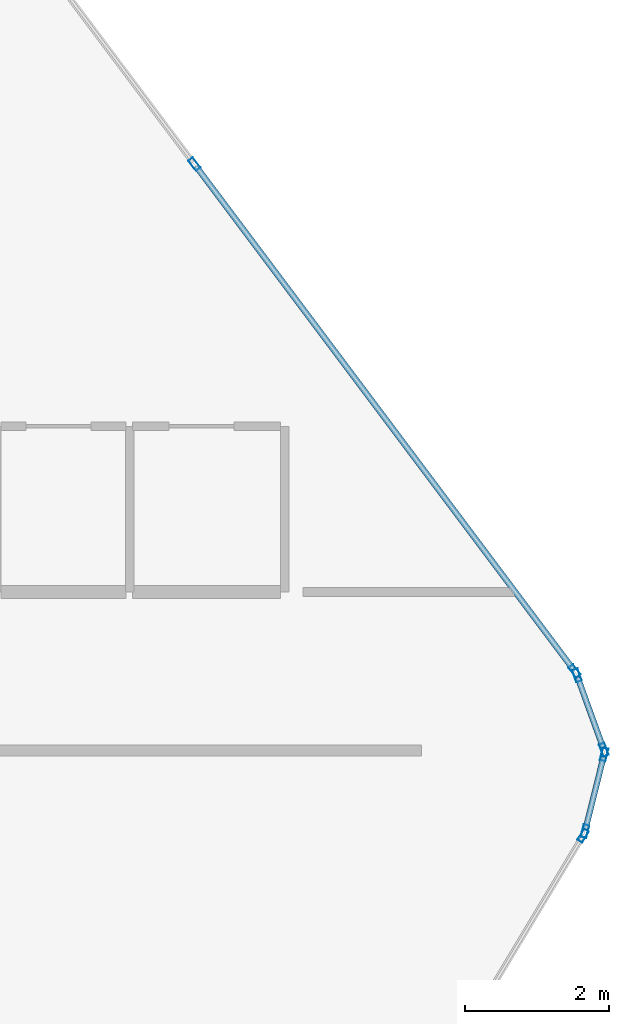
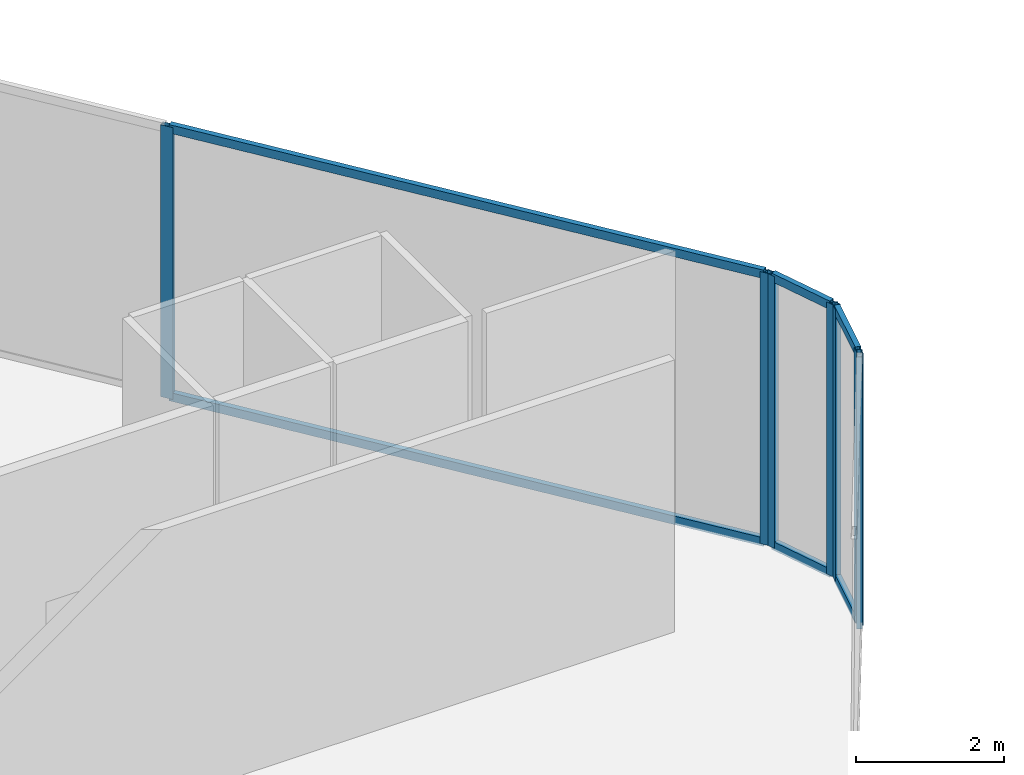
# One storey, part 18 of 29: 13 members, 4 elements without a shape of their own.
"""IFC4 building model written with IfcOpenShell, lengths in metres."""

import ifcopenshell
import ifcopenshell.guid

model = None  # the IFC model being written
_history = None  # IfcOwnerHistory: only IFC2X3 demands one
_inside = {}  # id of a spatial element -> (the spatial element, [elements in it])
_under = {}  # id of a project, library or spatial element -> (it, [spatial elements below it])
_declared = {}  # id of a project -> (the project, [libraries it declares])
_typed = {}  # id of a type object -> (the type object, [elements of that type])
_made_of = {}  # id of a material, layer set ... -> (it, [elements and type objects made of it])


def new_model(schema):
    """Start an empty IFC model of exactly this schema.

    Asked for "IFC4X3", IfcOpenShell would pick the latest addendum, in which some entities
    have other attributes; the version numbers below select the first issue.
    IFC2X3 requires an IfcOwnerHistory on every rooted entity: one is made here for all.
    """
    global model, _history
    if schema == "IFC4X3":
        model = ifcopenshell.file(schema_version=(4, 3, 0, 0))
    else:
        model = ifcopenshell.file(schema=schema)
    _inside.clear()
    _under.clear()
    _declared.clear()
    _typed.clear()
    _made_of.clear()
    _history = None
    if model.schema == "IFC2X3":
        org = make("IfcOrganization", Name="unknown")
        user = make(
            "IfcPersonAndOrganization",
            ThePerson=make("IfcPerson", FamilyName="unknown"),
            TheOrganization=org,
        )
        app = make(
            "IfcApplication",
            ApplicationDeveloper=org,
            Version="unknown",
            ApplicationFullName="unknown",
            ApplicationIdentifier="unknown",
        )
        _history = make(
            "IfcOwnerHistory",
            OwningUser=user,
            OwningApplication=app,
            ChangeAction="ADDED",
            CreationDate=0,
        )
    return model


def make(cls, **values):
    """One entity of the class cls with the attributes given. An attribute that is None is left unset."""
    return model.create_entity(
        cls, **{name: value for name, value in values.items() if value is not None}
    )


def rooted(cls, **values):
    """An entity with a GlobalId (a new one), such as an element, a storey or a relation."""
    return make(cls, GlobalId=ifcopenshell.guid.new(), OwnerHistory=_history, **values)


def si_unit(unit_type, name, prefix=None):
    """IfcSIUnit, for example si_unit("LENGTHUNIT", "METRE", prefix="MILLI")."""
    return make("IfcSIUnit", UnitType=unit_type, Prefix=prefix, Name=name)


def assignment(units):
    """IfcUnitAssignment: the units of a project."""
    return None if units is None else make("IfcUnitAssignment", Units=units)


def point(xyz):
    """IfcCartesianPoint."""
    return None if xyz is None else make("IfcCartesianPoint", Coordinates=xyz)


def direction(xyz):
    """IfcDirection."""
    return None if xyz is None else make("IfcDirection", DirectionRatios=xyz)


def frame(location, z_axis=None, x_axis=None):
    """IfcAxis2Placement3D, a coordinate frame: its origin and axes. An axis left out is left unset."""
    return make(
        "IfcAxis2Placement3D",
        Location=point(location),
        Axis=direction(z_axis),
        RefDirection=direction(x_axis),
    )


def frame_2d(location, x_axis=None):
    """IfcAxis2Placement2D, a coordinate frame in the plane: its origin and x axis."""
    return make(
        "IfcAxis2Placement2D", Location=point(location), RefDirection=direction(x_axis)
    )


def origin():
    """The frame at (0, 0, 0) with its axes left unset."""
    return frame((0.0, 0.0, 0.0))


def origin_2d():
    """The frame at (0, 0) in the plane with its x axis left unset."""
    return frame_2d((0.0, 0.0))


def place(relative_to, where):
    """IfcLocalPlacement: puts the frame where relative to a parent placement (None: the world)."""
    return make(
        "IfcLocalPlacement", PlacementRelTo=relative_to, RelativePlacement=where
    )


def context(
    kind, dimensions, precision=None, world=None, true_north=None, identifier=None
):
    """IfcGeometricRepresentationContext, for example the 3D "Model" context."""
    return make(
        "IfcGeometricRepresentationContext",
        ContextIdentifier=identifier,
        ContextType=kind,
        CoordinateSpaceDimension=dimensions,
        Precision=precision,
        WorldCoordinateSystem=world,
        TrueNorth=true_north,
    )


def subcontext(parent, identifier, kind, view, scale=None):
    """IfcGeometricRepresentationSubContext, for example "Body" below "Model"."""
    return make(
        "IfcGeometricRepresentationSubContext",
        ContextIdentifier=identifier,
        ContextType=kind,
        ParentContext=parent,
        TargetScale=scale,
        TargetView=view,
    )


def project(units=None, contexts=None):
    """IfcProject with its units and contexts."""
    return rooted(
        "IfcProject",
        Name="project",
        RepresentationContexts=contexts,
        UnitsInContext=assignment(units),
    )


def spatial(cls, under=None, at=None, **own):
    """A site, building, storey or space (cls), placed at a placement, below another one or the project."""
    s = rooted(cls, ObjectPlacement=at, **own)
    if under is not None:
        _under.setdefault(under.id(), (under, []))[1].append(s)
    return s


def profile(cls, at=None, kind="AREA", **sizes):
    """A parametric profile (cls). Its sizes go by their IFC names, for example OverallWidth=200.0."""
    return make(cls, ProfileType=kind, Position=at, **sizes)


def hollow_rectangle(**sizes):
    """IfcRectangleHollowProfileDef."""
    return profile("IfcRectangleHollowProfileDef", **sizes)


def extrude(swept, where, along, depth):
    """IfcExtrudedAreaSolid: the profile swept, set in the frame where, extruded along a direction by depth."""
    return make(
        "IfcExtrudedAreaSolid",
        SweptArea=swept,
        Position=where,
        ExtrudedDirection=direction(along),
        Depth=depth,
    )


def shape(context_of_items, identifier, shape_type, items):
    """IfcShapeRepresentation: the items that make up one representation, for example the "Body"."""
    return make(
        "IfcShapeRepresentation",
        ContextOfItems=context_of_items,
        RepresentationIdentifier=identifier,
        RepresentationType=shape_type,
        Items=items,
    )


def material(Name=None, Category=None):
    """IfcMaterial."""
    return make("IfcMaterial", Name=Name, Category=Category)


def layer(
    of_material, thickness, ventilated=None, Name=None, Category=None, Priority=None
):
    """IfcMaterialLayer: one layer of a wall or slab, of a material (None: an air gap)."""
    return make(
        "IfcMaterialLayer",
        Material=of_material,
        LayerThickness=thickness,
        IsVentilated=ventilated,
        Name=Name,
        Category=Category,
        Priority=Priority,
    )


def layer_set(layers, Name=None):
    """IfcMaterialLayerSet."""
    return make("IfcMaterialLayerSet", MaterialLayers=layers, LayerSetName=Name)


def material_profile(
    of_material, cross_section, Name=None, Category=None, Priority=None
):
    """IfcMaterialProfile: a cross section and its material."""
    return make(
        "IfcMaterialProfile",
        Name=Name,
        Material=of_material,
        Profile=cross_section,
        Priority=Priority,
        Category=Category,
    )


def profile_set(profiles, Name=None, composite=None):
    """IfcMaterialProfileSet."""
    return make(
        "IfcMaterialProfileSet",
        Name=Name,
        MaterialProfiles=profiles,
        CompositeProfile=composite,
    )


def made_of(thing, what):
    """Note that an element or type object is made of a material, layer set ...; save() writes the relation."""
    if what is not None:
        _made_of.setdefault(what.id(), (what, []))[1].append(thing)
    return thing


def type_object(cls, material=None, **own):
    """A type object (cls), such as IfcWallType, which elements share."""
    return made_of(rooted(cls, **own), material)


def element(
    cls,
    number,
    at=None,
    inside=None,
    cuts=None,
    type_object=None,
    material=None,
    context=None,
    identifier="Body",
    shape_type=None,
    held_by="IfcProductDefinitionShape",
    body=None,
    shapes=None,
    **own,
):
    """One element of the class cls, such as IfcWall. Its Tag is "e" and its number.

    at: its placement. inside: the storey or other place that contains it. cuts: it is an
    opening in that element (IfcRelVoidsElement). A single representation is given by context,
    identifier, shape_type and body (its items); several are given by shapes. held_by: the class
    of the entity that holds the representations. save() writes the other relations.
    """
    e = rooted(cls, Tag="e%d" % number, ObjectPlacement=at, **own)
    if body is not None:
        shapes = [shape(context, identifier, shape_type, body)]
    if shapes is not None:
        e.Representation = make(held_by, Representations=shapes)
    if inside is not None:
        _inside.setdefault(inside.id(), (inside, []))[1].append(e)
    if cuts is not None:
        rooted(
            "IfcRelVoidsElement", RelatingBuildingElement=cuts, RelatedOpeningElement=e
        )
    if type_object is not None:
        _typed.setdefault(type_object.id(), (type_object, []))[1].append(e)
    return made_of(e, material)


def aggregate(whole, parts):
    """IfcRelAggregates: a whole, such as a stair, and the parts it consists of."""
    return rooted("IfcRelAggregates", RelatingObject=whole, RelatedObjects=parts)


def save(model, path):
    """Write the relations noted so far, then the file.

    IfcRelAggregates (storeys below a building ...), IfcRelContainedInSpatialStructure (elements
    in a storey), IfcRelDefinesByType, IfcRelAssociatesMaterial and IfcRelDeclares: one each for
    every whole, place, type object, material and project.
    """
    for whole, parts in _under.values():
        aggregate(whole, parts)
    for where, things in _inside.values():
        rooted(
            "IfcRelContainedInSpatialStructure",
            RelatedElements=things,
            RelatingStructure=where,
        )
    for kind, things in _typed.values():
        rooted("IfcRelDefinesByType", RelatedObjects=things, RelatingType=kind)
    for what, things in _made_of.values():
        rooted("IfcRelAssociatesMaterial", RelatedObjects=things, RelatingMaterial=what)
    for by, libraries in _declared.values():
        rooted("IfcRelDeclares", RelatingContext=by, RelatedDefinitions=libraries)
    model.write(path)


model = new_model("IFC4")

# Units and contexts
model_context = context("Model", 3, precision=1e-05, world=origin(), true_north=direction((0.0, 1.0)))
body_context = subcontext(model_context, "Body", "Model", "MODEL_VIEW")
ifc_project = project(units=[si_unit("LENGTHUNIT", "METRE"), si_unit("AREAUNIT", "SQUARE_METRE"), si_unit("VOLUMEUNIT", "CUBIC_METRE"), si_unit("PLANEANGLEUNIT", "RADIAN"), si_unit("MASSUNIT", "GRAM", prefix="KILO")], contexts=[model_context])

# Site, building, storey
site_placement = place(None, origin())
site = spatial("IfcSite", under=ifc_project, at=site_placement, CompositionType="ELEMENT")
building_placement = place(site_placement, origin())
building = spatial("IfcBuilding", under=site, at=building_placement, Name="Keshet Zoharim Tower", CompositionType="ELEMENT")
storey_placement = place(building_placement, frame((0.0, 0.0, 120.5)))
storey = spatial("IfcBuildingStorey", under=building, at=storey_placement, Name="L29", CompositionType="ELEMENT", Elevation=120.5)

# Curtain wall, members
ifc_material = material(Name="Aluminium 6063-T6", Category="aluminium")
ifc_layer = layer(ifc_material, 0.14990234375)
ifc_layer_set = layer_set([ifc_layer], Name="Aluminium 6063-T6")
curtain_wall_type = type_object("IfcCurtainWallType", Name="CW-SYS-04", PredefinedType="NOTDEFINED", material=ifc_layer_set)
curtain_wall_1_placement = place(storey_placement, origin())
curtain_wall_1 = element("IfcCurtainWall", 1, at=curtain_wall_1_placement, inside=storey, type_object=curtain_wall_type, Name="L29 Unitised Curtain Wall 15", PredefinedType="NOTDEFINED")
ifc_material_profile_1 = material_profile(ifc_material, hollow_rectangle(XDim=0.080078125, YDim=0.179931640625, WallThickness=0.00439453125, at=origin_2d()), Name="MUL-80x180")
ifc_profile_set_1 = profile_set([ifc_material_profile_1], Name="Aluminium 6063-T6")
member_type_1 = type_object("IfcMemberType", Name="CWM-M18", PredefinedType="MULLION", material=ifc_profile_set_1)
member_1_placement = place(storey_placement, frame((56.896484375, 46.0380859375, 0.0), z_axis=(0.0, 0.0, 1.0), x_axis=(0.799999999998, 0.600000000002, 0.0)))
member_1 = element("IfcMember", 2, at=member_1_placement, type_object=member_type_1, Name="CW-04 mullion 2", PredefinedType="MULLION", context=body_context, shape_type="SweptSolid", body=[
    extrude(hollow_rectangle(XDim=0.080078125, YDim=0.179931640625, WallThickness=0.00439453125, at=origin_2d()), origin(), (0.0, 0.0, 1.0), 4.47998046875),
])
member_2_placement = place(storey_placement, frame((62.172119140625, 39.00390625, 0.0), z_axis=(0.0, 0.0, 1.0), x_axis=(0.799999999998, 0.600000000002, 0.0)))
member_2 = element("IfcMember", 3, at=member_2_placement, type_object=member_type_1, Name="CW-04 mullion 3", PredefinedType="MULLION", context=body_context, shape_type="SweptSolid", body=[
    extrude(hollow_rectangle(XDim=0.080078125, YDim=0.179931640625, WallThickness=0.00439453125, at=origin_2d()), origin(), (0.0, 0.0, 1.0), 4.47998046875),
])

curtain_wall_2_placement = place(storey_placement, origin())
curtain_wall_2 = element("IfcCurtainWall", 4, at=curtain_wall_2_placement, inside=storey, type_object=curtain_wall_type, Name="L29 Unitised Curtain Wall 16", PredefinedType="NOTDEFINED")
member_3_placement = place(storey_placement, frame((62.204833984375, 38.943115234375, 0.0), z_axis=(0.0, 0.0, 1.0), x_axis=(0.940317877544, 0.340297354046, 0.0)))
member_3 = element("IfcMember", 5, at=member_3_placement, type_object=member_type_1, Name="CW-04 mullion 1", PredefinedType="MULLION", context=body_context, shape_type="SweptSolid", body=[
    extrude(hollow_rectangle(XDim=0.080078125, YDim=0.179931640625, WallThickness=0.00439453125, at=origin_2d()), origin(), (0.0, 0.0, 1.0), 4.47998046875),
])
member_4_placement = place(storey_placement, frame((62.578125, 37.911865234375, 0.0), z_axis=(0.0, 0.0, 1.0), x_axis=(0.940317877544, 0.340297354046, 0.0)))
member_4 = element("IfcMember", 6, at=member_4_placement, type_object=member_type_1, Name="CW-04 mullion 2", PredefinedType="MULLION", context=body_context, shape_type="SweptSolid", body=[
    extrude(hollow_rectangle(XDim=0.080078125, YDim=0.179931640625, WallThickness=0.00439453125, at=origin_2d()), origin(), (0.0, 0.0, 1.0), 4.47998046875),
])

curtain_wall_3_placement = place(storey_placement, origin())
curtain_wall_3 = element("IfcCurtainWall", 7, at=curtain_wall_3_placement, inside=storey, type_object=curtain_wall_type, Name="L29 Unitised Curtain Wall 17", PredefinedType="NOTDEFINED")
member_5_placement = place(storey_placement, frame((62.58154296875, 37.844970703125, 0.0), z_axis=(0.0, 0.0, 1.0), x_axis=(0.970343857447, -0.241728770141, 0.0)))
member_5 = element("IfcMember", 8, at=member_5_placement, type_object=member_type_1, Name="CW-04 mullion 1", PredefinedType="MULLION", context=body_context, shape_type="SweptSolid", body=[
    extrude(hollow_rectangle(XDim=0.080078125, YDim=0.179931640625, WallThickness=0.00439453125, at=origin_2d()), origin(), (0.0, 0.0, 1.0), 4.47998046875),
])
member_6_placement = place(storey_placement, frame((62.31640625, 36.781005859375, 0.0), z_axis=(0.0, 0.0, 1.0), x_axis=(0.970343857447, -0.241728770141, 0.0)))
member_6 = element("IfcMember", 9, at=member_6_placement, type_object=member_type_1, Name="CW-04 mullion 2", PredefinedType="MULLION", context=body_context, shape_type="SweptSolid", body=[
    extrude(hollow_rectangle(XDim=0.080078125, YDim=0.179931640625, WallThickness=0.00439453125, at=origin_2d()), origin(), (0.0, 0.0, 1.0), 4.47998046875),
])

# Curtain wall, member
curtain_wall_4_placement = place(storey_placement, origin())
curtain_wall_4 = element("IfcCurtainWall", 10, at=curtain_wall_4_placement, inside=storey, type_object=curtain_wall_type, Name="L29 Unitised Curtain Wall 18", PredefinedType="NOTDEFINED")
member_7_placement = place(storey_placement, frame((62.2900390625, 36.717041015625, 0.0), z_axis=(0.0, 0.0, 1.0), x_axis=(0.857501477862, -0.514481501576, 0.0)))
member_7 = element("IfcMember", 11, at=member_7_placement, type_object=member_type_1, Name="CW-04 mullion 1", PredefinedType="MULLION", context=body_context, shape_type="SweptSolid", body=[
    extrude(hollow_rectangle(XDim=0.080078125, YDim=0.179931640625, WallThickness=0.00439453125, at=origin_2d()), origin(), (0.0, 0.0, 1.0), 4.47998046875),
])
aggregate(curtain_wall_4, [member_7])

# Member
ifc_material_profile_2 = material_profile(ifc_material, hollow_rectangle(XDim=0.080078125, YDim=0.139892578125, WallThickness=0.00390625, at=origin_2d()), Name="TRN-80x140")
ifc_profile_set_2 = profile_set([ifc_material_profile_2], Name="Aluminium 6063-T6")
member_type_2 = type_object("IfcMemberType", Name="CWT-T14", PredefinedType="USERDEFINED", material=ifc_profile_set_2)
member_8_placement = place(storey_placement, frame((56.91748046875, 46.010009765625, 0.034912109375), z_axis=(0.599991043201, -0.800006717521, 0.0), x_axis=(0.800006717521, 0.599991043201, 0.0)))
member_8 = element("IfcMember", 12, at=member_8_placement, type_object=member_type_2, Name="CW-04 transom 2.1", ObjectType="TRANSOM", PredefinedType="USERDEFINED", context=body_context, shape_type="SweptSolid", body=[
    extrude(hollow_rectangle(XDim=0.080078125, YDim=0.139892578125, WallThickness=0.00390625, at=origin_2d()), origin(), (0.0, 0.0, 1.0), 8.722412109375),
])

member_9_placement = place(storey_placement, frame((56.91748046875, 46.010009765625, 4.445068359375), z_axis=(0.599991043201, -0.800006717521, 0.0), x_axis=(0.800006717521, 0.599991043201, 0.0)))
member_9 = element("IfcMember", 13, at=member_9_placement, type_object=member_type_2, Name="CW-04 transom 2.2", ObjectType="TRANSOM", PredefinedType="USERDEFINED", context=body_context, shape_type="SweptSolid", body=[
    extrude(hollow_rectangle(XDim=0.080078125, YDim=0.139892578125, WallThickness=0.00390625, at=origin_2d()), origin(), (0.0, 0.0, 1.0), 8.722412109375),
])

aggregate(curtain_wall_1, [member_1, member_2, member_8, member_9])

member_10_placement = place(storey_placement, frame((62.216796875, 38.91015625, 0.034912109375), z_axis=(0.340310579984, -0.940313091024, 0.0), x_axis=(0.940313091024, 0.340310579984, 0.0)))
member_10 = element("IfcMember", 14, at=member_10_placement, type_object=member_type_2, Name="CW-04 transom 1.1", ObjectType="TRANSOM", PredefinedType="USERDEFINED", context=body_context, shape_type="SweptSolid", body=[
    extrude(hollow_rectangle(XDim=0.080078125, YDim=0.139892578125, WallThickness=0.00390625, at=origin_2d()), origin(), (0.0, 0.0, 1.0), 1.026611328125),
])

member_11_placement = place(storey_placement, frame((62.216796875, 38.91015625, 4.445068359375), z_axis=(0.340310579984, -0.940313091024, 0.0), x_axis=(0.940313091024, 0.340310579984, 0.0)))
member_11 = element("IfcMember", 15, at=member_11_placement, type_object=member_type_2, Name="CW-04 transom 1.2", ObjectType="TRANSOM", PredefinedType="USERDEFINED", context=body_context, shape_type="SweptSolid", body=[
    extrude(hollow_rectangle(XDim=0.080078125, YDim=0.139892578125, WallThickness=0.00390625, at=origin_2d()), origin(), (0.0, 0.0, 1.0), 1.026611328125),
])

aggregate(curtain_wall_2, [member_3, member_4, member_10, member_11])

member_12_placement = place(storey_placement, frame((62.572998046875, 37.81103515625, 0.034912109375), z_axis=(-0.241640143717, -0.970365931463, 0.0), x_axis=(0.970365931463, -0.241640143717, 0.0)))
member_12 = element("IfcMember", 16, at=member_12_placement, type_object=member_type_2, Name="CW-04 transom 1.1", ObjectType="TRANSOM", PredefinedType="USERDEFINED", context=body_context, shape_type="SweptSolid", body=[
    extrude(hollow_rectangle(XDim=0.080078125, YDim=0.139892578125, WallThickness=0.00390625, at=origin_2d()), origin(), (0.0, 0.0, 1.0), 1.026611328125),
])

member_13_placement = place(storey_placement, frame((62.572998046875, 37.81103515625, 4.445068359375), z_axis=(-0.241640143717, -0.970365931463, 0.0), x_axis=(0.970365931463, -0.241640143717, 0.0)))
member_13 = element("IfcMember", 17, at=member_13_placement, type_object=member_type_2, Name="CW-04 transom 1.2", ObjectType="TRANSOM", PredefinedType="USERDEFINED", context=body_context, shape_type="SweptSolid", body=[
    extrude(hollow_rectangle(XDim=0.080078125, YDim=0.139892578125, WallThickness=0.00390625, at=origin_2d()), origin(), (0.0, 0.0, 1.0), 1.026611328125),
])

aggregate(curtain_wall_3, [member_5, member_6, member_12, member_13])

save(model, "model.ifc")
